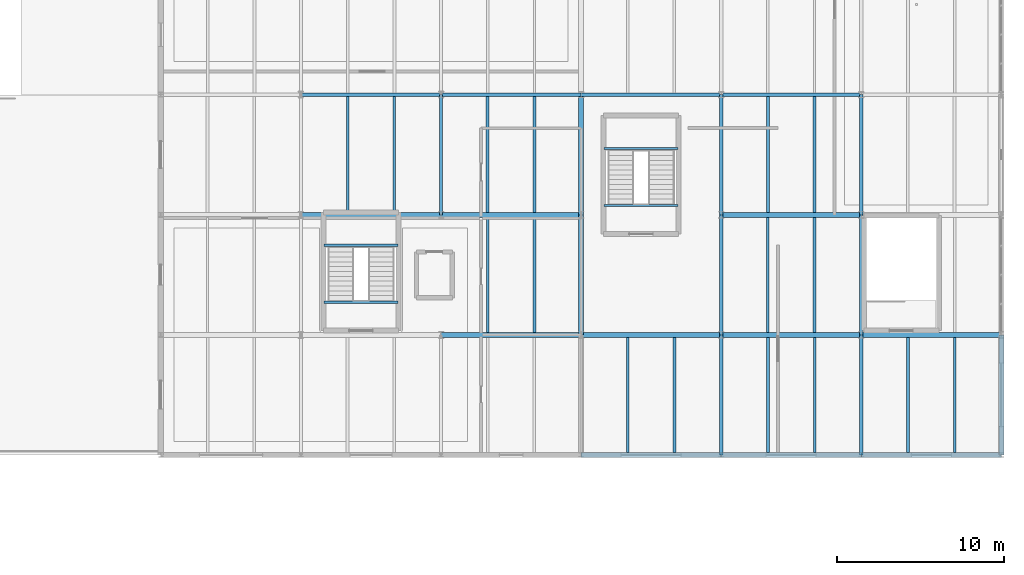
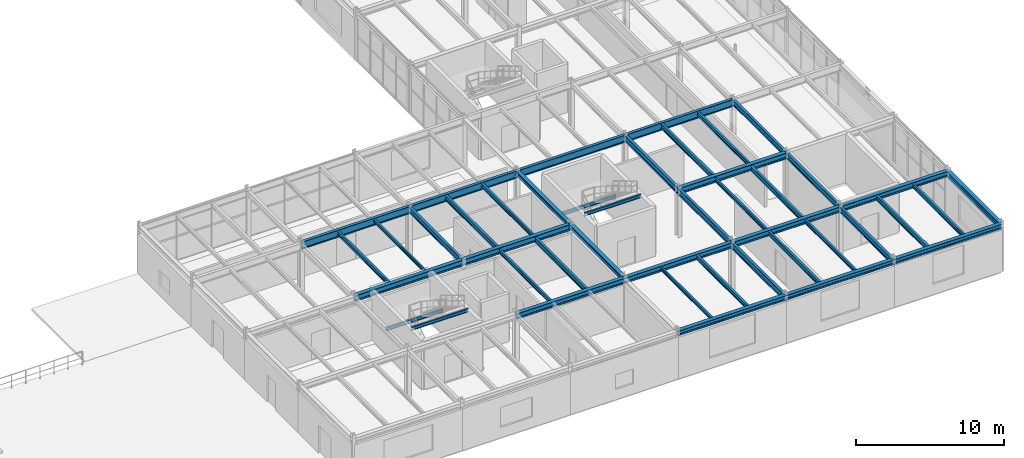
# One storey, part 30 of 73: 44 beams.
"""IFC4 building model written with IfcOpenShell, lengths in metres."""

from ifc_helpers import new_model, si_unit, derived_unit, direction, frame, origin, origin_2d, place, context, subcontext, project, spatial, i_section, extrude, material, material_profile, profile_set, type_object, element, save


model = new_model("IFC4")

# Units and contexts
model_context = context("Model", 3, precision=1e-05, world=origin(), true_north=direction((0.0, 1.0)))
body_context = subcontext(model_context, "Body", "Model", "MODEL_VIEW")
ifc_project = project(units=[si_unit("LENGTHUNIT", "METRE"), si_unit("AREAUNIT", "SQUARE_METRE"), si_unit("VOLUMEUNIT", "CUBIC_METRE"), si_unit("PLANEANGLEUNIT", "RADIAN"), si_unit("MASSUNIT", "GRAM", prefix="KILO"), derived_unit("THERMALTRANSMITTANCEUNIT", [(si_unit("MASSUNIT", "GRAM", prefix="KILO"), 1), (si_unit("TIMEUNIT", "SECOND"), -3), (si_unit("THERMODYNAMICTEMPERATUREUNIT", "KELVIN"), -1)])], contexts=[model_context])

# Site, building, storey
site_placement = place(None, origin())
site = spatial("IfcSite", under=ifc_project, at=site_placement, CompositionType="ELEMENT")
building_placement = place(site_placement, origin())
building = spatial("IfcBuilding", under=site, at=building_placement, Name="Kharveza Railside Sports Centre", CompositionType="ELEMENT")
storey_placement = place(building_placement, frame((0.0, 0.0, 8.699951171875)))
storey = spatial("IfcBuildingStorey", under=building, at=storey_placement, Name="L02", CompositionType="ELEMENT", Elevation=8.699951171875)

# Beams
ifc_material = material(Name="Steel S355J2", Category="steel")
ifc_material_profile_1 = material_profile(ifc_material, i_section(OverallWidth=0.219970703125, OverallDepth=0.60009765625, WebThickness=0.011962890625, FlangeThickness=0.01904296875, FilletRadius=0.02392578125, at=origin_2d()), Name="IPE 600")
ifc_profile_set_1 = profile_set([ifc_material_profile_1], Name="Steel S355J2")
beam_type_1 = type_object("IfcBeamType", Name="BM-G01", PredefinedType="T_BEAM", material=ifc_profile_set_1)
beam_1_placement = place(storey_placement, frame((126.0, 28.800048828125, 3.699951171875), z_axis=(1.0, 0.0, 0.0), x_axis=(0.0, 1.0, 0.0)))
element("IfcBeam", 1, at=beam_1_placement, inside=storey, type_object=beam_type_1, Name="BM-EW-L02-B01-X1260-Y288", PredefinedType="T_BEAM", context=body_context, shape_type="SweptSolid", body=[
    extrude(i_section(OverallWidth=0.219970703125, OverallDepth=0.60009765625, WebThickness=0.011962890625, FlangeThickness=0.01904296875, FilletRadius=0.02392578125, at=origin_2d()), origin(), (0.0, 0.0, 1.0), 8.39990234375),
])
beam_2_placement = place(storey_placement, frame((134.39990234375, 28.800048828125, 3.699951171875), z_axis=(1.0, 0.0, 0.0), x_axis=(0.0, 1.0, 0.0)))
element("IfcBeam", 2, at=beam_2_placement, inside=storey, type_object=beam_type_1, Name="BM-EW-L02-B01-X1344-Y288", PredefinedType="T_BEAM", context=body_context, shape_type="SweptSolid", body=[
    extrude(i_section(OverallWidth=0.219970703125, OverallDepth=0.60009765625, WebThickness=0.011962890625, FlangeThickness=0.01904296875, FilletRadius=0.02392578125, at=origin_2d()), origin(), (0.0, 0.0, 1.0), 8.400146484375),
])
beam_3_placement = place(storey_placement, frame((142.800048828125, 28.800048828125, 3.699951171875), z_axis=(1.0, 0.0, 0.0), x_axis=(0.0, 1.0, 0.0)))
element("IfcBeam", 3, at=beam_3_placement, inside=storey, type_object=beam_type_1, Name="BM-EW-L02-B01-X1428-Y288", PredefinedType="T_BEAM", context=body_context, shape_type="SweptSolid", body=[
    extrude(i_section(OverallWidth=0.219970703125, OverallDepth=0.60009765625, WebThickness=0.011962890625, FlangeThickness=0.01904296875, FilletRadius=0.02392578125, at=origin_2d()), origin(), (0.0, 0.0, 1.0), 8.39990234375),
])
beam_4_placement = place(storey_placement, frame((151.199951171875, 28.800048828125, 3.699951171875), z_axis=(1.0, 0.0, 0.0), x_axis=(0.0, 1.0, 0.0)))
element("IfcBeam", 4, at=beam_4_placement, inside=storey, type_object=beam_type_1, Name="BM-EW-L02-B01-X1512-Y288", PredefinedType="T_BEAM", context=body_context, shape_type="SweptSolid", body=[
    extrude(i_section(OverallWidth=0.219970703125, OverallDepth=0.60009765625, WebThickness=0.011962890625, FlangeThickness=0.01904296875, FilletRadius=0.02392578125, at=origin_2d()), origin(), (0.0, 0.0, 1.0), 8.400146484375),
])
ifc_material_profile_2 = material_profile(ifc_material, i_section(OverallWidth=0.199951171875, OverallDepth=0.5, WebThickness=0.01025390625, FlangeThickness=0.01611328125, FilletRadius=0.02099609375, at=origin_2d()), Name="IPE 500")
ifc_profile_set_2 = profile_set([ifc_material_profile_2], Name="Steel S355J2")
beam_type_2 = type_object("IfcBeamType", Name="BM-G03", PredefinedType="T_BEAM", material=ifc_profile_set_2)
beam_5_placement = place(storey_placement, frame((151.199951171875, 7.199951171875, 3.670166015625), z_axis=(0.0, 1.0, 0.0), x_axis=(-1.0, 0.0, 0.0)))
element("IfcBeam", 5, at=beam_5_placement, inside=storey, type_object=beam_type_2, Name="BM-NS-L02-B03-X1512-Y72", PredefinedType="T_BEAM", context=body_context, shape_type="SweptSolid", body=[
    extrude(i_section(OverallWidth=0.199951171875, OverallDepth=0.5, WebThickness=0.01025390625, FlangeThickness=0.01611328125, FilletRadius=0.02099609375, at=origin_2d()), origin(), (0.0, 0.0, 1.0), 7.199951171875),
])
beam_6_placement = place(storey_placement, frame((151.199951171875, 14.39990234375, 3.75), z_axis=(0.0, 1.0, 0.0), x_axis=(-1.0, 0.0, 0.0)))
element("IfcBeam", 6, at=beam_6_placement, inside=storey, type_object=beam_type_2, Name="BM-NS-L02-B03-X1512-Y144", PredefinedType="T_BEAM", context=body_context, shape_type="SweptSolid", body=[
    extrude(i_section(OverallWidth=0.199951171875, OverallDepth=0.5, WebThickness=0.01025390625, FlangeThickness=0.01611328125, FilletRadius=0.02099609375, at=origin_2d()), origin(), (0.0, 0.0, 1.0), 7.2001953125),
])
beam_7_placement = place(storey_placement, frame((151.199951171875, 21.60009765625, 3.75), z_axis=(0.0, 1.0, 0.0), x_axis=(-1.0, 0.0, 0.0)))
element("IfcBeam", 7, at=beam_7_placement, inside=storey, type_object=beam_type_2, Name="BM-NS-L02-B03-X1512-Y216", PredefinedType="T_BEAM", context=body_context, shape_type="SweptSolid", body=[
    extrude(i_section(OverallWidth=0.199951171875, OverallDepth=0.5, WebThickness=0.01025390625, FlangeThickness=0.01611328125, FilletRadius=0.02099609375, at=origin_2d()), origin(), (0.0, 0.0, 1.0), 7.199951171875),
])
ifc_material_profile_3 = material_profile(ifc_material, i_section(OverallWidth=0.18994140625, OverallDepth=0.449951171875, WebThickness=0.009521484375, FlangeThickness=0.0146484375, FilletRadius=0.02099609375, at=origin_2d()), Name="IPE 450")
ifc_profile_set_3 = profile_set([ifc_material_profile_3], Name="Steel S355J2")
beam_type_3 = type_object("IfcBeamType", Name="BM-G04", PredefinedType="T_BEAM", material=ifc_profile_set_3)
for number, where, z_axis, x_axis, name in (
    (8, (134.39990234375, 21.60009765625, 3.775146484375), (0.0, 1.0, 0.0), (-1.0, 0.0, 0.0), "BM-NS-L02-B04-X1344-Y216"),
    (9, (159.60009765625, 7.199951171875, 3.695068359375), (0.0, 1.0, 0.0), (-1.0, 0.0, 0.0), "BM-NS-L02-B04-X1596-Y72"),
):
    element("IfcBeam", number, at=place(storey_placement, frame(where, z_axis=z_axis, x_axis=x_axis)), inside=storey, type_object=beam_type_3, Name=name, PredefinedType="T_BEAM", context=body_context, shape_type="SweptSolid", body=[
        extrude(i_section(OverallWidth=0.18994140625, OverallDepth=0.449951171875, WebThickness=0.009521484375, FlangeThickness=0.0146484375, FilletRadius=0.02099609375, at=origin_2d()), origin(), (0.0, 0.0, 1.0), 7.199951171875),
    ])
beam_8_placement = place(storey_placement, frame((159.60009765625, 14.39990234375, 3.775146484375), z_axis=(0.0, 1.0, 0.0), x_axis=(-1.0, 0.0, 0.0)))
element("IfcBeam", 10, at=beam_8_placement, inside=storey, type_object=beam_type_3, Name="BM-NS-L02-B04-X1596-Y144", PredefinedType="T_BEAM", context=body_context, shape_type="SweptSolid", body=[
    extrude(i_section(OverallWidth=0.18994140625, OverallDepth=0.449951171875, WebThickness=0.009521484375, FlangeThickness=0.0146484375, FilletRadius=0.02099609375, at=origin_2d()), origin(), (0.0, 0.0, 1.0), 7.2001953125),
])
beam_9_placement = place(storey_placement, frame((159.60009765625, 21.60009765625, 3.775146484375), z_axis=(0.0, 1.0, 0.0), x_axis=(-1.0, 0.0, 0.0)))
element("IfcBeam", 11, at=beam_9_placement, inside=storey, type_object=beam_type_3, Name="BM-NS-L02-B04-X1596-Y216", PredefinedType="T_BEAM", context=body_context, shape_type="SweptSolid", body=[
    extrude(i_section(OverallWidth=0.18994140625, OverallDepth=0.449951171875, WebThickness=0.009521484375, FlangeThickness=0.0146484375, FilletRadius=0.02099609375, at=origin_2d()), origin(), (0.0, 0.0, 1.0), 7.199951171875),
])
ifc_material_profile_4 = material_profile(ifc_material, i_section(OverallWidth=0.300048828125, OverallDepth=0.5, WebThickness=0.014404296875, FlangeThickness=0.028076171875, FilletRadius=0.027099609375, at=origin_2d()), Name="HEB 500")
ifc_profile_set_4 = profile_set([ifc_material_profile_4], Name="Steel S355J2")
beam_type_4 = type_object("IfcBeamType", Name="BM-G05", PredefinedType="T_BEAM", material=ifc_profile_set_4)
beam_10_placement = place(storey_placement, frame((126.0, 21.60009765625, 3.75), z_axis=(1.0, 0.0, 0.0), x_axis=(0.0, 1.0, 0.0)))
element("IfcBeam", 12, at=beam_10_placement, inside=storey, type_object=beam_type_4, Name="BM-EW-L02-B05-X1260-Y216", PredefinedType="T_BEAM", context=body_context, shape_type="SweptSolid", body=[
    extrude(i_section(OverallWidth=0.300048828125, OverallDepth=0.5, WebThickness=0.014404296875, FlangeThickness=0.028076171875, FilletRadius=0.027099609375, at=origin_2d()), origin(), (0.0, 0.0, 1.0), 8.39990234375),
])
for number, where, z_axis, x_axis, name in (
    (13, (134.39990234375, 21.60009765625, 3.75), (1.0, 0.0, 0.0), (0.0, 1.0, 0.0), "BM-EW-L02-B05-X1344-Y216"),
    (14, (151.199951171875, 21.60009765625, 3.75), (1.0, 0.0, 0.0), (0.0, 1.0, 0.0), "BM-EW-L02-B05-X1512-Y216"),
):
    element("IfcBeam", number, at=place(storey_placement, frame(where, z_axis=z_axis, x_axis=x_axis)), inside=storey, type_object=beam_type_4, Name=name, PredefinedType="T_BEAM", context=body_context, shape_type="SweptSolid", body=[
        extrude(i_section(OverallWidth=0.300048828125, OverallDepth=0.5, WebThickness=0.014404296875, FlangeThickness=0.028076171875, FilletRadius=0.027099609375, at=origin_2d()), origin(), (0.0, 0.0, 1.0), 8.400146484375),
    ])
ifc_material_profile_5 = material_profile(ifc_material, i_section(OverallWidth=0.300048828125, OverallDepth=0.449951171875, WebThickness=0.013916015625, FlangeThickness=0.02587890625, FilletRadius=0.027099609375, at=origin_2d()), Name="HEB 450")
ifc_profile_set_5 = profile_set([ifc_material_profile_5], Name="Steel S355J2")
beam_type_5 = type_object("IfcBeamType", Name="BM-G06", PredefinedType="T_BEAM", material=ifc_profile_set_5)
beam_11_placement = place(storey_placement, frame((134.39990234375, 14.39990234375, 3.695068359375), z_axis=(1.0, 0.0, 0.0), x_axis=(0.0, 1.0, 0.0)))
element("IfcBeam", 15, at=beam_11_placement, inside=storey, type_object=beam_type_5, Name="BM-EW-L02-B06-X1344-Y144", PredefinedType="T_BEAM", context=body_context, shape_type="SweptSolid", body=[
    extrude(i_section(OverallWidth=0.300048828125, OverallDepth=0.449951171875, WebThickness=0.013916015625, FlangeThickness=0.02587890625, FilletRadius=0.027099609375, at=origin_2d()), origin(), (0.0, 0.0, 1.0), 8.400146484375),
])
beam_12_placement = place(storey_placement, frame((142.800048828125, 14.39990234375, 3.695068359375), z_axis=(1.0, 0.0, 0.0), x_axis=(0.0, 1.0, 0.0)))
element("IfcBeam", 16, at=beam_12_placement, inside=storey, type_object=beam_type_5, Name="BM-EW-L02-B06-X1428-Y144", PredefinedType="T_BEAM", context=body_context, shape_type="SweptSolid", body=[
    extrude(i_section(OverallWidth=0.300048828125, OverallDepth=0.449951171875, WebThickness=0.013916015625, FlangeThickness=0.02587890625, FilletRadius=0.027099609375, at=origin_2d()), origin(), (0.0, 0.0, 1.0), 8.39990234375),
])
beam_13_placement = place(storey_placement, frame((151.199951171875, 14.39990234375, 3.695068359375), z_axis=(1.0, 0.0, 0.0), x_axis=(0.0, 1.0, 0.0)))
element("IfcBeam", 17, at=beam_13_placement, inside=storey, type_object=beam_type_5, Name="BM-EW-L02-B06-X1512-Y144", PredefinedType="T_BEAM", context=body_context, shape_type="SweptSolid", body=[
    extrude(i_section(OverallWidth=0.300048828125, OverallDepth=0.449951171875, WebThickness=0.013916015625, FlangeThickness=0.02587890625, FilletRadius=0.027099609375, at=origin_2d()), origin(), (0.0, 0.0, 1.0), 8.400146484375),
])
beam_14_placement = place(storey_placement, frame((159.60009765625, 14.39990234375, 3.695068359375), z_axis=(1.0, 0.0, 0.0), x_axis=(0.0, 1.0, 0.0)))
element("IfcBeam", 18, at=beam_14_placement, inside=storey, type_object=beam_type_5, Name="BM-EW-L02-B06-X1596-Y144", PredefinedType="T_BEAM", context=body_context, shape_type="SweptSolid", body=[
    extrude(i_section(OverallWidth=0.300048828125, OverallDepth=0.449951171875, WebThickness=0.013916015625, FlangeThickness=0.02587890625, FilletRadius=0.027099609375, at=origin_2d()), origin(), (0.0, 0.0, 1.0), 8.39990234375),
])
ifc_material_profile_6 = material_profile(ifc_material, i_section(OverallWidth=0.179931640625, OverallDepth=0.39990234375, WebThickness=0.008544921875, FlangeThickness=0.013427734375, FilletRadius=0.02099609375, at=origin_2d()), Name="IPE 400")
ifc_profile_set_6 = profile_set([ifc_material_profile_6], Name="Steel S355J2")
beam_type_6 = type_object("IfcBeamType", Name="BM-S01", PredefinedType="BEAM", material=ifc_profile_set_6)
beam_15_placement = place(storey_placement, frame((140.0, 14.547119140625, 3.719970703125), z_axis=(0.0, 1.0, 0.0), x_axis=(-1.0, 0.0, 0.0)))
element("IfcBeam", 19, at=beam_15_placement, inside=storey, type_object=beam_type_6, Name="BM-SEC-L02-B09-X1400-Y144", PredefinedType="BEAM", context=body_context, shape_type="SweptSolid", body=[
    extrude(i_section(OverallWidth=0.179931640625, OverallDepth=0.39990234375, WebThickness=0.008544921875, FlangeThickness=0.013427734375, FilletRadius=0.02099609375, at=origin_2d()), origin(), (0.0, 0.0, 1.0), 6.90576171875),
])
beam_16_placement = place(storey_placement, frame((137.199951171875, 21.7470703125, 3.800048828125), z_axis=(0.0, 1.0, 0.0), x_axis=(-1.0, 0.0, 0.0)))
element("IfcBeam", 20, at=beam_16_placement, inside=storey, type_object=beam_type_6, Name="BM-SEC-L02-B09-X1372-Y216", PredefinedType="BEAM", context=body_context, shape_type="SweptSolid", body=[
    extrude(i_section(OverallWidth=0.179931640625, OverallDepth=0.39990234375, WebThickness=0.008544921875, FlangeThickness=0.013427734375, FilletRadius=0.02099609375, at=origin_2d()), origin(), (0.0, 0.0, 1.0), 6.946044921875),
])
beam_17_placement = place(storey_placement, frame((156.800048828125, 14.547119140625, 3.719970703125), z_axis=(0.0, 1.0, 0.0), x_axis=(-1.0, 0.0, 0.0)))
element("IfcBeam", 21, at=beam_17_placement, inside=storey, type_object=beam_type_6, Name="BM-SEC-L02-B09-X1568-Y144", PredefinedType="BEAM", context=body_context, shape_type="SweptSolid", body=[
    extrude(i_section(OverallWidth=0.179931640625, OverallDepth=0.39990234375, WebThickness=0.008544921875, FlangeThickness=0.013427734375, FilletRadius=0.02099609375, at=origin_2d()), origin(), (0.0, 0.0, 1.0), 6.90576171875),
])
beam_18_placement = place(storey_placement, frame((154.0, 21.7470703125, 3.800048828125), z_axis=(0.0, 1.0, 0.0), x_axis=(-1.0, 0.0, 0.0)))
element("IfcBeam", 22, at=beam_18_placement, inside=storey, type_object=beam_type_6, Name="BM-SEC-L02-B09-X1540-Y216", PredefinedType="BEAM", context=body_context, shape_type="SweptSolid", body=[
    extrude(i_section(OverallWidth=0.179931640625, OverallDepth=0.39990234375, WebThickness=0.008544921875, FlangeThickness=0.013427734375, FilletRadius=0.02099609375, at=origin_2d()), origin(), (0.0, 0.0, 1.0), 6.946044921875),
])
beam_19_placement = place(storey_placement, frame((162.39990234375, 7.346923828125, 3.719970703125), z_axis=(0.0, 1.0, 0.0), x_axis=(-1.0, 0.0, 0.0)))
element("IfcBeam", 23, at=beam_19_placement, inside=storey, type_object=beam_type_6, Name="BM-SEC-L02-B09-X1624-Y72", PredefinedType="BEAM", context=body_context, shape_type="SweptSolid", body=[
    extrude(i_section(OverallWidth=0.179931640625, OverallDepth=0.39990234375, WebThickness=0.008544921875, FlangeThickness=0.013427734375, FilletRadius=0.02099609375, at=origin_2d()), origin(), (0.0, 0.0, 1.0), 6.906005859375),
])
ifc_material_profile_7 = material_profile(ifc_material, i_section(OverallWidth=0.169921875, OverallDepth=0.360107421875, WebThickness=0.008056640625, FlangeThickness=0.0126953125, FilletRadius=0.01806640625, at=origin_2d()), Name="IPE 360")
ifc_profile_set_7 = profile_set([ifc_material_profile_7], Name="Steel S355J2")
beam_type_7 = type_object("IfcBeamType", Name="BM-S02", PredefinedType="BEAM", material=ifc_profile_set_7)
for number, where, z_axis, x_axis, name in (
    (24, (148.39990234375, 7.346923828125, 3.739990234375), (0.0, 1.0, 0.0), (-1.0, 0.0, 0.0), "BM-SEC-L02-B10-X1484-Y72"),
    (25, (154.0, 7.346923828125, 3.739990234375), (0.0, 1.0, 0.0), (-1.0, 0.0, 0.0), "BM-SEC-L02-B10-X1540-Y72"),
):
    element("IfcBeam", number, at=place(storey_placement, frame(where, z_axis=z_axis, x_axis=x_axis)), inside=storey, type_object=beam_type_7, Name=name, PredefinedType="BEAM", context=body_context, shape_type="SweptSolid", body=[
        extrude(i_section(OverallWidth=0.169921875, OverallDepth=0.360107421875, WebThickness=0.008056640625, FlangeThickness=0.0126953125, FilletRadius=0.01806640625, at=origin_2d()), origin(), (0.0, 0.0, 1.0), 6.906005859375),
    ])
ifc_material_profile_8 = material_profile(ifc_material, i_section(OverallWidth=0.159912109375, OverallDepth=0.330078125, WebThickness=0.007568359375, FlangeThickness=0.011474609375, FilletRadius=0.01806640625, at=origin_2d()), Name="IPE 330")
ifc_profile_set_8 = profile_set([ifc_material_profile_8], Name="Steel S355J2")
beam_type_8 = type_object("IfcBeamType", Name="BM-S03", PredefinedType="BEAM", material=ifc_profile_set_8)
for number, where, z_axis, x_axis, name in (
    (26, (128.800048828125, 21.7470703125, 3.8349609375), (0.0, 1.0, 0.0), (-1.0, 0.0, 0.0), "BM-SEC-L02-B11-X1288-Y216"),
    (27, (140.0, 21.7470703125, 3.8349609375), (0.0, 1.0, 0.0), (-1.0, 0.0, 0.0), "BM-SEC-L02-B11-X1400-Y216"),
    (28, (156.800048828125, 21.7470703125, 3.8349609375), (0.0, 1.0, 0.0), (-1.0, 0.0, 0.0), "BM-SEC-L02-B11-X1568-Y216"),
):
    element("IfcBeam", number, at=place(storey_placement, frame(where, z_axis=z_axis, x_axis=x_axis)), inside=storey, type_object=beam_type_8, Name=name, PredefinedType="BEAM", context=body_context, shape_type="SweptSolid", body=[
        extrude(i_section(OverallWidth=0.159912109375, OverallDepth=0.330078125, WebThickness=0.007568359375, FlangeThickness=0.011474609375, FilletRadius=0.01806640625, at=origin_2d()), origin(), (0.0, 0.0, 1.0), 6.946044921875),
    ])
beam_20_placement = place(storey_placement, frame((165.199951171875, 7.346923828125, 3.755126953125), z_axis=(0.0, 1.0, 0.0), x_axis=(-1.0, 0.0, 0.0)))
element("IfcBeam", 29, at=beam_20_placement, inside=storey, type_object=beam_type_8, Name="BM-SEC-L02-B11-X1652-Y72", PredefinedType="BEAM", context=body_context, shape_type="SweptSolid", body=[
    extrude(i_section(OverallWidth=0.159912109375, OverallDepth=0.330078125, WebThickness=0.007568359375, FlangeThickness=0.011474609375, FilletRadius=0.01806640625, at=origin_2d()), origin(), (0.0, 0.0, 1.0), 6.906005859375),
])
ifc_material_profile_9 = material_profile(ifc_material, i_section(OverallWidth=0.14990234375, OverallDepth=0.300048828125, WebThickness=0.007080078125, FlangeThickness=0.0107421875, FilletRadius=0.014892578125, at=origin_2d()), Name="IPE 300")
ifc_profile_set_9 = profile_set([ifc_material_profile_9], Name="Steel S355J2")
beam_type_9 = type_object("IfcBeamType", Name="BM-S04", PredefinedType="BEAM", material=ifc_profile_set_9)
beam_21_placement = place(storey_placement, frame((137.199951171875, 14.547119140625, 3.77001953125), z_axis=(0.0, 1.0, 0.0), x_axis=(-1.0, 0.0, 0.0)))
element("IfcBeam", 30, at=beam_21_placement, inside=storey, type_object=beam_type_9, Name="BM-SEC-L02-B12-X1372-Y144", PredefinedType="BEAM", context=body_context, shape_type="SweptSolid", body=[
    extrude(i_section(OverallWidth=0.14990234375, OverallDepth=0.300048828125, WebThickness=0.007080078125, FlangeThickness=0.0107421875, FilletRadius=0.014892578125, at=origin_2d()), origin(), (0.0, 0.0, 1.0), 6.90576171875),
])
beam_22_placement = place(storey_placement, frame((156.800048828125, 7.346923828125, 3.77001953125), z_axis=(0.0, 1.0, 0.0), x_axis=(-1.0, 0.0, 0.0)))
element("IfcBeam", 31, at=beam_22_placement, inside=storey, type_object=beam_type_9, Name="BM-SEC-L02-B12-X1568-Y72", PredefinedType="BEAM", context=body_context, shape_type="SweptSolid", body=[
    extrude(i_section(OverallWidth=0.14990234375, OverallDepth=0.300048828125, WebThickness=0.007080078125, FlangeThickness=0.0107421875, FilletRadius=0.014892578125, at=origin_2d()), origin(), (0.0, 0.0, 1.0), 6.906005859375),
])
beam_23_placement = place(storey_placement, frame((154.0, 14.547119140625, 3.77001953125), z_axis=(0.0, 1.0, 0.0), x_axis=(-1.0, 0.0, 0.0)))
element("IfcBeam", 32, at=beam_23_placement, inside=storey, type_object=beam_type_9, Name="BM-SEC-L02-B12-X1540-Y144", PredefinedType="BEAM", context=body_context, shape_type="SweptSolid", body=[
    extrude(i_section(OverallWidth=0.14990234375, OverallDepth=0.300048828125, WebThickness=0.007080078125, FlangeThickness=0.0107421875, FilletRadius=0.014892578125, at=origin_2d()), origin(), (0.0, 0.0, 1.0), 6.90576171875),
])
ifc_material_profile_10 = material_profile(ifc_material, i_section(OverallWidth=0.135009765625, OverallDepth=0.27001953125, WebThickness=0.006591796875, FlangeThickness=0.01025390625, FilletRadius=0.014892578125, at=origin_2d()), Name="IPE 270")
ifc_profile_set_10 = profile_set([ifc_material_profile_10], Name="Steel S355J2")
beam_type_10 = type_object("IfcBeamType", Name="BM-S05", PredefinedType="BEAM", material=ifc_profile_set_10)
beam_24_placement = place(storey_placement, frame((131.60009765625, 21.7470703125, 3.864990234375), z_axis=(0.0, 1.0, 0.0), x_axis=(-1.0, 0.0, 0.0)))
element("IfcBeam", 33, at=beam_24_placement, inside=storey, type_object=beam_type_10, Name="BM-SEC-L02-B13-X1316-Y216", PredefinedType="BEAM", context=body_context, shape_type="SweptSolid", body=[
    extrude(i_section(OverallWidth=0.135009765625, OverallDepth=0.27001953125, WebThickness=0.006591796875, FlangeThickness=0.01025390625, FilletRadius=0.014892578125, at=origin_2d()), origin(), (0.0, 0.0, 1.0), 6.946044921875),
])
beam_25_placement = place(storey_placement, frame((145.60009765625, 7.346923828125, 3.78515625), z_axis=(0.0, 1.0, 0.0), x_axis=(-1.0, 0.0, 0.0)))
element("IfcBeam", 34, at=beam_25_placement, inside=storey, type_object=beam_type_10, Name="BM-SEC-L02-B13-X1456-Y72", PredefinedType="BEAM", context=body_context, shape_type="SweptSolid", body=[
    extrude(i_section(OverallWidth=0.135009765625, OverallDepth=0.27001953125, WebThickness=0.006591796875, FlangeThickness=0.01025390625, FilletRadius=0.014892578125, at=origin_2d()), origin(), (0.0, 0.0, 1.0), 6.906005859375),
])
for number, where, z_axis, x_axis, name in (
    (35, (127.3798828125, 19.77001953125, 1.780029296875), (1.0, 0.0, 0.0), (0.0, 1.0, 0.0), "BM-HLND-ST3-L02"),
    (36, (127.3798828125, 16.360107421875, 3.880126953125), (1.0, 0.0, 0.0), (0.0, 1.0, 0.0), "BM-STLND-ST3-L03"),
    (37, (144.179931640625, 25.570068359375, 1.780029296875), (1.0, 0.0, 0.0), (0.0, 1.0, 0.0), "BM-HLND-ST5-L02"),
    (38, (144.179931640625, 22.159912109375, 3.880126953125), (1.0, 0.0, 0.0), (0.0, 1.0, 0.0), "BM-STLND-ST5-L03"),
):
    element("IfcBeam", number, at=place(storey_placement, frame(where, z_axis=z_axis, x_axis=x_axis)), inside=storey, type_object=beam_type_10, Name=name, PredefinedType="BEAM", context=body_context, shape_type="SweptSolid", body=[
        extrude(i_section(OverallWidth=0.135009765625, OverallDepth=0.27001953125, WebThickness=0.006591796875, FlangeThickness=0.01025390625, FilletRadius=0.014892578125, at=origin_2d()), origin(), (0.0, 0.0, 1.0), 4.440185546875),
    ])
ifc_material_profile_11 = material_profile(ifc_material, i_section(OverallWidth=0.300048828125, OverallDepth=0.31005859375, WebThickness=0.009033203125, FlangeThickness=0.015380859375, FilletRadius=0.027099609375, at=origin_2d()), Name="HEA 320")
ifc_profile_set_11 = profile_set([ifc_material_profile_11], Name="Steel S355J2")
beam_type_11 = type_object("IfcBeamType", Name="BM-S06", PredefinedType="BEAM", material=ifc_profile_set_11)
beam_26_placement = place(storey_placement, frame((142.800048828125, 14.39990234375, 3.844970703125), z_axis=(0.0, 1.0, 0.0), x_axis=(-1.0, 0.0, 0.0)))
element("IfcBeam", 39, at=beam_26_placement, inside=storey, type_object=beam_type_11, Name="BM-NS-L02-B14-X1428-Y144", PredefinedType="BEAM", context=body_context, shape_type="SweptSolid", body=[
    extrude(i_section(OverallWidth=0.300048828125, OverallDepth=0.31005859375, WebThickness=0.009033203125, FlangeThickness=0.015380859375, FilletRadius=0.027099609375, at=origin_2d()), origin(), (0.0, 0.0, 1.0), 7.2001953125),
])
beam_27_placement = place(storey_placement, frame((142.800048828125, 21.60009765625, 3.844970703125), z_axis=(0.0, 1.0, 0.0), x_axis=(-1.0, 0.0, 0.0)))
element("IfcBeam", 40, at=beam_27_placement, inside=storey, type_object=beam_type_11, Name="BM-NS-L02-B14-X1428-Y216", PredefinedType="BEAM", context=body_context, shape_type="SweptSolid", body=[
    extrude(i_section(OverallWidth=0.300048828125, OverallDepth=0.31005859375, WebThickness=0.009033203125, FlangeThickness=0.015380859375, FilletRadius=0.027099609375, at=origin_2d()), origin(), (0.0, 0.0, 1.0), 7.199951171875),
])
ifc_material_profile_12 = material_profile(ifc_material, i_section(OverallWidth=0.300048828125, OverallDepth=0.43994140625, WebThickness=0.011474609375, FlangeThickness=0.02099609375, FilletRadius=0.027099609375, at=origin_2d()), Name="HEA 450")
ifc_profile_set_12 = profile_set([ifc_material_profile_12], Name="Steel S355J2")
beam_type_12 = type_object("IfcBeamType", Name="BM-SP01", PredefinedType="SPANDREL", material=ifc_profile_set_12)
beam_28_placement = place(storey_placement, frame((168.0, 7.199951171875, 3.699951171875), z_axis=(0.0, 1.0, 0.0), x_axis=(-1.0, 0.0, 0.0)))
element("IfcBeam", 41, at=beam_28_placement, inside=storey, type_object=beam_type_12, Name="BM-NS-L02-B15-X1680-Y72", PredefinedType="SPANDREL", context=body_context, shape_type="SweptSolid", body=[
    extrude(i_section(OverallWidth=0.300048828125, OverallDepth=0.43994140625, WebThickness=0.011474609375, FlangeThickness=0.02099609375, FilletRadius=0.027099609375, at=origin_2d()), origin(), (0.0, 0.0, 1.0), 7.199951171875),
])
ifc_material_profile_13 = material_profile(ifc_material, i_section(OverallWidth=0.300048828125, OverallDepth=0.389892578125, WebThickness=0.010986328125, FlangeThickness=0.01904296875, FilletRadius=0.027099609375, at=origin_2d()), Name="HEA 400")
ifc_profile_set_13 = profile_set([ifc_material_profile_13], Name="Steel S355J2")
beam_type_13 = type_object("IfcBeamType", Name="BM-SP02", PredefinedType="SPANDREL", material=ifc_profile_set_13)
beam_29_placement = place(storey_placement, frame((142.800048828125, 7.199951171875, 3.72509765625), z_axis=(1.0, 0.0, 0.0), x_axis=(0.0, 1.0, 0.0)))
element("IfcBeam", 42, at=beam_29_placement, inside=storey, type_object=beam_type_13, Name="BM-EW-L02-B16-X1428-Y72", PredefinedType="SPANDREL", context=body_context, shape_type="SweptSolid", body=[
    extrude(i_section(OverallWidth=0.300048828125, OverallDepth=0.389892578125, WebThickness=0.010986328125, FlangeThickness=0.01904296875, FilletRadius=0.027099609375, at=origin_2d()), origin(), (0.0, 0.0, 1.0), 8.39990234375),
])
beam_30_placement = place(storey_placement, frame((151.199951171875, 7.199951171875, 3.72509765625), z_axis=(1.0, 0.0, 0.0), x_axis=(0.0, 1.0, 0.0)))
element("IfcBeam", 43, at=beam_30_placement, inside=storey, type_object=beam_type_13, Name="BM-EW-L02-B16-X1512-Y72", PredefinedType="SPANDREL", context=body_context, shape_type="SweptSolid", body=[
    extrude(i_section(OverallWidth=0.300048828125, OverallDepth=0.389892578125, WebThickness=0.010986328125, FlangeThickness=0.01904296875, FilletRadius=0.027099609375, at=origin_2d()), origin(), (0.0, 0.0, 1.0), 8.400146484375),
])
beam_31_placement = place(storey_placement, frame((159.60009765625, 7.199951171875, 3.72509765625), z_axis=(1.0, 0.0, 0.0), x_axis=(0.0, 1.0, 0.0)))
element("IfcBeam", 44, at=beam_31_placement, inside=storey, type_object=beam_type_13, Name="BM-EW-L02-B16-X1596-Y72", PredefinedType="SPANDREL", context=body_context, shape_type="SweptSolid", body=[
    extrude(i_section(OverallWidth=0.300048828125, OverallDepth=0.389892578125, WebThickness=0.010986328125, FlangeThickness=0.01904296875, FilletRadius=0.027099609375, at=origin_2d()), origin(), (0.0, 0.0, 1.0), 8.39990234375),
])

save(model, "model.ifc")
